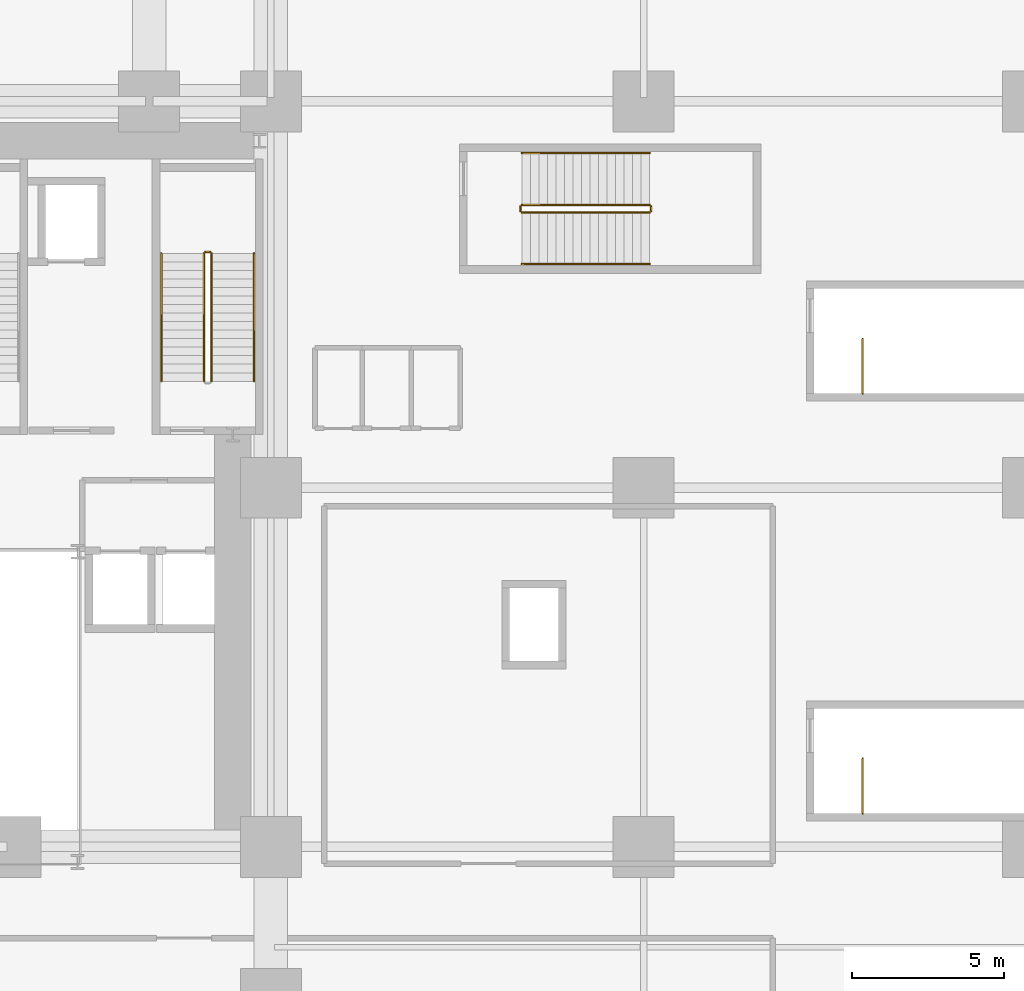
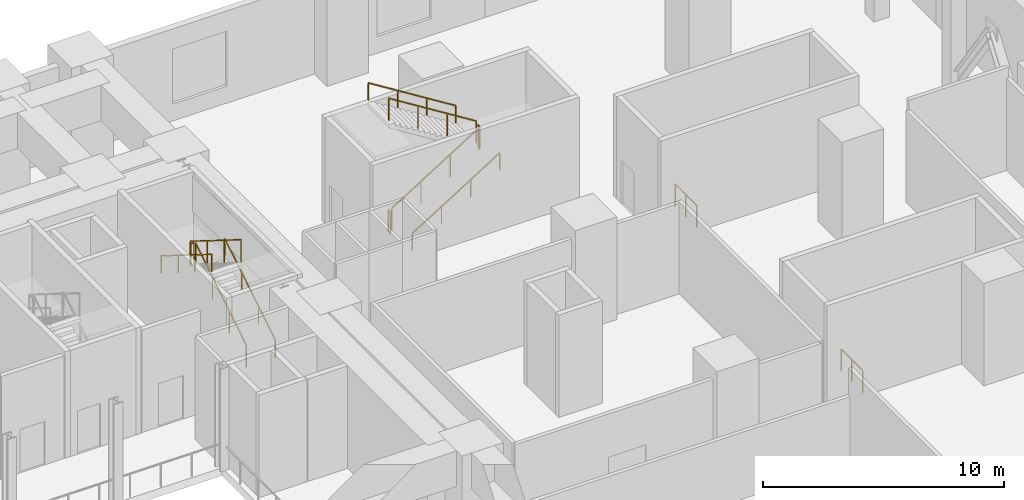
# One storey, part 17 of 17: 13 railings.
"""IFC4 building model written with IfcOpenShell, lengths in metres."""

import ifcopenshell
import ifcopenshell.guid

model = None  # the IFC model being written
_history = None  # IfcOwnerHistory: only IFC2X3 demands one
_inside = {}  # id of a spatial element -> (the spatial element, [elements in it])
_under = {}  # id of a project, library or spatial element -> (it, [spatial elements below it])
_declared = {}  # id of a project -> (the project, [libraries it declares])
_typed = {}  # id of a type object -> (the type object, [elements of that type])
_made_of = {}  # id of a material, layer set ... -> (it, [elements and type objects made of it])


def new_model(schema):
    """Start an empty IFC model of exactly this schema.

    Asked for "IFC4X3", IfcOpenShell would pick the latest addendum, in which some entities
    have other attributes; the version numbers below select the first issue.
    IFC2X3 requires an IfcOwnerHistory on every rooted entity: one is made here for all.
    """
    global model, _history
    if schema == "IFC4X3":
        model = ifcopenshell.file(schema_version=(4, 3, 0, 0))
    else:
        model = ifcopenshell.file(schema=schema)
    _inside.clear()
    _under.clear()
    _declared.clear()
    _typed.clear()
    _made_of.clear()
    _history = None
    if model.schema == "IFC2X3":
        org = make("IfcOrganization", Name="unknown")
        user = make(
            "IfcPersonAndOrganization",
            ThePerson=make("IfcPerson", FamilyName="unknown"),
            TheOrganization=org,
        )
        app = make(
            "IfcApplication",
            ApplicationDeveloper=org,
            Version="unknown",
            ApplicationFullName="unknown",
            ApplicationIdentifier="unknown",
        )
        _history = make(
            "IfcOwnerHistory",
            OwningUser=user,
            OwningApplication=app,
            ChangeAction="ADDED",
            CreationDate=0,
        )
    return model


def make(cls, **values):
    """One entity of the class cls with the attributes given. An attribute that is None is left unset."""
    return model.create_entity(
        cls, **{name: value for name, value in values.items() if value is not None}
    )


def rooted(cls, **values):
    """An entity with a GlobalId (a new one), such as an element, a storey or a relation."""
    return make(cls, GlobalId=ifcopenshell.guid.new(), OwnerHistory=_history, **values)


def si_unit(unit_type, name, prefix=None):
    """IfcSIUnit, for example si_unit("LENGTHUNIT", "METRE", prefix="MILLI")."""
    return make("IfcSIUnit", UnitType=unit_type, Prefix=prefix, Name=name)


def assignment(units):
    """IfcUnitAssignment: the units of a project."""
    return None if units is None else make("IfcUnitAssignment", Units=units)


def point(xyz):
    """IfcCartesianPoint."""
    return None if xyz is None else make("IfcCartesianPoint", Coordinates=xyz)


def direction(xyz):
    """IfcDirection."""
    return None if xyz is None else make("IfcDirection", DirectionRatios=xyz)


def frame(location, z_axis=None, x_axis=None):
    """IfcAxis2Placement3D, a coordinate frame: its origin and axes. An axis left out is left unset."""
    return make(
        "IfcAxis2Placement3D",
        Location=point(location),
        Axis=direction(z_axis),
        RefDirection=direction(x_axis),
    )


def frame_2d(location, x_axis=None):
    """IfcAxis2Placement2D, a coordinate frame in the plane: its origin and x axis."""
    return make(
        "IfcAxis2Placement2D", Location=point(location), RefDirection=direction(x_axis)
    )


def origin():
    """The frame at (0, 0, 0) with its axes left unset."""
    return frame((0.0, 0.0, 0.0))


def origin_2d():
    """The frame at (0, 0) in the plane with its x axis left unset."""
    return frame_2d((0.0, 0.0))


def place(relative_to, where):
    """IfcLocalPlacement: puts the frame where relative to a parent placement (None: the world)."""
    return make(
        "IfcLocalPlacement", PlacementRelTo=relative_to, RelativePlacement=where
    )


def context(
    kind, dimensions, precision=None, world=None, true_north=None, identifier=None
):
    """IfcGeometricRepresentationContext, for example the 3D "Model" context."""
    return make(
        "IfcGeometricRepresentationContext",
        ContextIdentifier=identifier,
        ContextType=kind,
        CoordinateSpaceDimension=dimensions,
        Precision=precision,
        WorldCoordinateSystem=world,
        TrueNorth=true_north,
    )


def subcontext(parent, identifier, kind, view, scale=None):
    """IfcGeometricRepresentationSubContext, for example "Body" below "Model"."""
    return make(
        "IfcGeometricRepresentationSubContext",
        ContextIdentifier=identifier,
        ContextType=kind,
        ParentContext=parent,
        TargetScale=scale,
        TargetView=view,
    )


def project(units=None, contexts=None):
    """IfcProject with its units and contexts."""
    return rooted(
        "IfcProject",
        Name="project",
        RepresentationContexts=contexts,
        UnitsInContext=assignment(units),
    )


def spatial(cls, under=None, at=None, **own):
    """A site, building, storey or space (cls), placed at a placement, below another one or the project."""
    s = rooted(cls, ObjectPlacement=at, **own)
    if under is not None:
        _under.setdefault(under.id(), (under, []))[1].append(s)
    return s


def profile(cls, at=None, kind="AREA", **sizes):
    """A parametric profile (cls). Its sizes go by their IFC names, for example OverallWidth=200.0."""
    return make(cls, ProfileType=kind, Position=at, **sizes)


def rectangle(**sizes):
    """IfcRectangleProfileDef."""
    return profile("IfcRectangleProfileDef", **sizes)


def extrude(swept, where, along, depth):
    """IfcExtrudedAreaSolid: the profile swept, set in the frame where, extruded along a direction by depth."""
    return make(
        "IfcExtrudedAreaSolid",
        SweptArea=swept,
        Position=where,
        ExtrudedDirection=direction(along),
        Depth=depth,
    )


def shape(context_of_items, identifier, shape_type, items):
    """IfcShapeRepresentation: the items that make up one representation, for example the "Body"."""
    return make(
        "IfcShapeRepresentation",
        ContextOfItems=context_of_items,
        RepresentationIdentifier=identifier,
        RepresentationType=shape_type,
        Items=items,
    )


def source(mapping_origin, context_of_items, identifier, shape_type, items):
    """IfcRepresentationMap: a shape defined once, which mapped items show again and again."""
    return make(
        "IfcRepresentationMap",
        MappingOrigin=mapping_origin,
        MappedRepresentation=shape(context_of_items, identifier, shape_type, items),
    )


def transform(
    local_origin,
    x_axis=None,
    y_axis=None,
    z_axis=None,
    scale=None,
    scale2=None,
    scale3=None,
    uniform=True,
):
    """IfcCartesianTransformationOperator3D, or its non-uniform kind. x_axis, y_axis, z_axis: its Axis1, 2, 3."""
    if uniform:
        return make(
            "IfcCartesianTransformationOperator3D",
            Axis1=direction(x_axis),
            Axis2=direction(y_axis),
            LocalOrigin=point(local_origin),
            Scale=scale,
            Axis3=direction(z_axis),
        )
    return make(
        "IfcCartesianTransformationOperator3DnonUniform",
        Axis1=direction(x_axis),
        Axis2=direction(y_axis),
        LocalOrigin=point(local_origin),
        Scale=scale,
        Axis3=direction(z_axis),
        Scale2=scale2,
        Scale3=scale3,
    )


def mapped(mapping_source, mapping_target):
    """IfcMappedItem: shows the shape of a source again, moved by a transform."""
    return make(
        "IfcMappedItem", MappingSource=mapping_source, MappingTarget=mapping_target
    )


def material(Name=None, Category=None):
    """IfcMaterial."""
    return make("IfcMaterial", Name=Name, Category=Category)


def made_of(thing, what):
    """Note that an element or type object is made of a material, layer set ...; save() writes the relation."""
    if what is not None:
        _made_of.setdefault(what.id(), (what, []))[1].append(thing)
    return thing


def type_object(cls, material=None, **own):
    """A type object (cls), such as IfcWallType, which elements share."""
    return made_of(rooted(cls, **own), material)


def element(
    cls,
    number,
    at=None,
    inside=None,
    cuts=None,
    type_object=None,
    material=None,
    context=None,
    identifier="Body",
    shape_type=None,
    held_by="IfcProductDefinitionShape",
    body=None,
    shapes=None,
    **own,
):
    """One element of the class cls, such as IfcWall. Its Tag is "e" and its number.

    at: its placement. inside: the storey or other place that contains it. cuts: it is an
    opening in that element (IfcRelVoidsElement). A single representation is given by context,
    identifier, shape_type and body (its items); several are given by shapes. held_by: the class
    of the entity that holds the representations. save() writes the other relations.
    """
    e = rooted(cls, Tag="e%d" % number, ObjectPlacement=at, **own)
    if body is not None:
        shapes = [shape(context, identifier, shape_type, body)]
    if shapes is not None:
        e.Representation = make(held_by, Representations=shapes)
    if inside is not None:
        _inside.setdefault(inside.id(), (inside, []))[1].append(e)
    if cuts is not None:
        rooted(
            "IfcRelVoidsElement", RelatingBuildingElement=cuts, RelatedOpeningElement=e
        )
    if type_object is not None:
        _typed.setdefault(type_object.id(), (type_object, []))[1].append(e)
    return made_of(e, material)


def aggregate(whole, parts):
    """IfcRelAggregates: a whole, such as a stair, and the parts it consists of."""
    return rooted("IfcRelAggregates", RelatingObject=whole, RelatedObjects=parts)


def save(model, path):
    """Write the relations noted so far, then the file.

    IfcRelAggregates (storeys below a building ...), IfcRelContainedInSpatialStructure (elements
    in a storey), IfcRelDefinesByType, IfcRelAssociatesMaterial and IfcRelDeclares: one each for
    every whole, place, type object, material and project.
    """
    for whole, parts in _under.values():
        aggregate(whole, parts)
    for where, things in _inside.values():
        rooted(
            "IfcRelContainedInSpatialStructure",
            RelatedElements=things,
            RelatingStructure=where,
        )
    for kind, things in _typed.values():
        rooted("IfcRelDefinesByType", RelatedObjects=things, RelatingType=kind)
    for what, things in _made_of.values():
        rooted("IfcRelAssociatesMaterial", RelatedObjects=things, RelatingMaterial=what)
    for by, libraries in _declared.values():
        rooted("IfcRelDeclares", RelatingContext=by, RelatedDefinitions=libraries)
    model.write(path)


model = new_model("IFC4")

# Units and contexts
model_context = context("Model", 3, precision=1e-05, world=origin(), true_north=direction((0.0, 1.0)))
body_context = subcontext(model_context, "Body", "Model", "MODEL_VIEW")
ifc_project = project(units=[si_unit("LENGTHUNIT", "METRE"), si_unit("AREAUNIT", "SQUARE_METRE"), si_unit("VOLUMEUNIT", "CUBIC_METRE"), si_unit("PLANEANGLEUNIT", "RADIAN"), si_unit("MASSUNIT", "GRAM", prefix="KILO")], contexts=[model_context])

# Site, building, storey
site_placement = place(None, origin())
site = spatial("IfcSite", under=ifc_project, at=site_placement, CompositionType="ELEMENT")
building_placement = place(site_placement, origin())
building = spatial("IfcBuilding", under=site, at=building_placement, Name="Vardaveli Station Tower", CompositionType="ELEMENT")
storey_placement = place(building_placement, frame((0.0, 0.0, 11.39990234375)))
storey = spatial("IfcBuildingStorey", under=building, at=storey_placement, Name="L03", CompositionType="ELEMENT", Elevation=11.39990234375)

# Railings
ifc_material = material(Name="Brushed AISI 316 stainless steel", Category="steel")
railing_type_1 = type_object("IfcRailingType", Name="RL-GUARD-1150", PredefinedType="GUARDRAIL", material=ifc_material)
shared_shape_1 = source(origin(), body_context, "Body", "SweptSolid", [
    extrude(rectangle(XDim=0.048095703125, YDim=0.048095703125, at=origin_2d()), frame((0.0, 0.0, 1.1259765625), z_axis=(-1.0, 0.0, 0.0), x_axis=(0.0, -1.0, 0.0)), (0.0, 0.0, 1.0), 0.14990234375),
    extrude(rectangle(XDim=0.0419921875, YDim=0.0419921875, at=origin_2d()), origin(), (0.0, 0.0, 1.0), 1.101806640625),
    extrude(rectangle(XDim=0.0419921875, YDim=0.0419921875, at=origin_2d()), frame((-0.14990234375, 0.0, 0.0)), (0.0, 0.0, 1.0), 1.101806640625),
])
railing_1_placement = place(storey_placement, frame((45.75, 36.64990234375, 2.800048828125)))
element("IfcRailing", 1, at=railing_1_placement, inside=storey, type_object=railing_type_1, Name="L03 ST-3 stair guard 2", PredefinedType="GUARDRAIL", context=body_context, shape_type="MappedRepresentation", body=[
    mapped(shared_shape_1, transform((0.0, 0.0, 0.0), scale=1.0)),
])
shared_shape_2 = source(origin(), body_context, "Body", "SweptSolid", [
    extrude(rectangle(XDim=0.048095703125, YDim=0.048095703125, at=origin_2d()), frame((0.0, 0.0, 1.1259765625), z_axis=(0.0, 0.848009380541, 0.529981217134), x_axis=(-1.0, 0.0, 0.0)), (0.0, 0.0, 1.0), 4.953125),
    extrude(rectangle(XDim=0.0419921875, YDim=0.0419921875, at=origin_2d()), origin(), (0.0, 0.0, 1.0), 1.101806640625),
    extrude(rectangle(XDim=0.0419921875, YDim=0.0419921875, at=origin_2d()), frame((0.0, 1.400146484375, 0.875)), (0.0, 0.0, 1.0), 1.101806640625),
    extrude(rectangle(XDim=0.0419921875, YDim=0.0419921875, at=origin_2d()), frame((0.0, 2.800048828125, 1.75)), (0.0, 0.0, 1.0), 1.101806640625),
    extrude(rectangle(XDim=0.0419921875, YDim=0.0419921875, at=origin_2d()), frame((0.0, 4.2001953125, 2.625)), (0.0, 0.0, 1.0), 1.101806640625),
])
railing_2_placement = place(storey_placement, frame((45.800048828125, 32.39990234375, 0.175048828125)))
element("IfcRailing", 2, at=railing_2_placement, inside=storey, type_object=railing_type_1, Name="L03 ST-3 stair guard 1", PredefinedType="GUARDRAIL", context=body_context, shape_type="MappedRepresentation", body=[
    mapped(shared_shape_2, transform((0.0, 0.0, 0.0), scale=1.0)),
])
shared_shape_3 = source(origin(), body_context, "Body", "SweptSolid", [
    extrude(rectangle(XDim=0.048095703125, YDim=0.048095703125, at=origin_2d()), frame((0.0, 0.0, 1.1259765625), z_axis=(0.0, -0.848009380541, 0.529981217134), x_axis=(1.0, 0.0, 0.0)), (0.0, 0.0, 1.0), 4.953125),
    extrude(rectangle(XDim=0.0419921875, YDim=0.0419921875, at=origin_2d()), origin(), (0.0, 0.0, 1.0), 1.101806640625),
    extrude(rectangle(XDim=0.0419921875, YDim=0.0419921875, at=origin_2d()), frame((0.0, -1.400146484375, 0.875)), (0.0, 0.0, 1.0), 1.101806640625),
    extrude(rectangle(XDim=0.0419921875, YDim=0.0419921875, at=origin_2d()), frame((0.0, -2.800048828125, 1.75)), (0.0, 0.0, 1.0), 1.101806640625),
    extrude(rectangle(XDim=0.0419921875, YDim=0.0419921875, at=origin_2d()), frame((0.0, -4.2001953125, 2.625)), (0.0, 0.0, 1.0), 1.101806640625),
])
railing_3_placement = place(storey_placement, frame((45.550048828125, 36.60009765625, 2.97509765625)))
element("IfcRailing", 3, at=railing_3_placement, inside=storey, type_object=railing_type_1, Name="L03 ST-3 stair guard 3", PredefinedType="GUARDRAIL", context=body_context, shape_type="MappedRepresentation", body=[
    mapped(shared_shape_3, transform((0.0, 0.0, 0.0), scale=1.0)),
])
railing_type_2 = type_object("IfcRailingType", Name="RL-HAND-900", PredefinedType="HANDRAIL", material=ifc_material)
shared_shape_4 = source(origin(), body_context, "Body", "SweptSolid", [
    extrude(rectangle(XDim=0.048095703125, YDim=0.048095703125, at=origin_2d()), frame((0.0, 0.0, 0.8759765625), z_axis=(0.0, 0.848009380541, 0.529981217134), x_axis=(-1.0, 0.0, 0.0)), (0.0, 0.0, 1.0), 4.953125),
    extrude(rectangle(XDim=0.0419921875, YDim=0.0419921875, at=origin_2d()), origin(), (0.0, 0.0, 1.0), 0.851806640625),
    extrude(rectangle(XDim=0.0419921875, YDim=0.0419921875, at=origin_2d()), frame((0.0, 1.400146484375, 0.875)), (0.0, 0.0, 1.0), 0.851806640625),
    extrude(rectangle(XDim=0.0419921875, YDim=0.0419921875, at=origin_2d()), frame((0.0, 2.800048828125, 1.75)), (0.0, 0.0, 1.0), 0.851806640625),
    extrude(rectangle(XDim=0.0419921875, YDim=0.0419921875, at=origin_2d()), frame((0.0, 4.2001953125, 2.625)), (0.0, 0.0, 1.0), 0.851806640625),
])
railing_4_placement = place(storey_placement, frame((47.199951171875, 32.39990234375, 0.175048828125)))
element("IfcRailing", 4, at=railing_4_placement, inside=storey, type_object=railing_type_2, Name="L03 ST-3 stair handrail 1", PredefinedType="HANDRAIL", context=body_context, shape_type="MappedRepresentation", body=[
    mapped(shared_shape_4, transform((0.0, 0.0, 0.0), scale=1.0)),
])
shared_shape_5 = source(origin(), body_context, "Body", "SweptSolid", [
    extrude(rectangle(XDim=0.048095703125, YDim=0.048095703125, at=origin_2d()), frame((0.0, 0.0, 0.8759765625), z_axis=(0.0, -0.848009380541, 0.529981217134), x_axis=(1.0, 0.0, 0.0)), (0.0, 0.0, 1.0), 4.953125),
    extrude(rectangle(XDim=0.0419921875, YDim=0.0419921875, at=origin_2d()), origin(), (0.0, 0.0, 1.0), 0.851806640625),
    extrude(rectangle(XDim=0.0419921875, YDim=0.0419921875, at=origin_2d()), frame((0.0, -1.400146484375, 0.875)), (0.0, 0.0, 1.0), 0.851806640625),
    extrude(rectangle(XDim=0.0419921875, YDim=0.0419921875, at=origin_2d()), frame((0.0, -2.800048828125, 1.75)), (0.0, 0.0, 1.0), 0.851806640625),
    extrude(rectangle(XDim=0.0419921875, YDim=0.0419921875, at=origin_2d()), frame((0.0, -4.2001953125, 2.625)), (0.0, 0.0, 1.0), 0.851806640625),
])
railing_5_placement = place(storey_placement, frame((44.14990234375, 36.60009765625, 2.97509765625)))
element("IfcRailing", 5, at=railing_5_placement, inside=storey, type_object=railing_type_2, Name="L03 ST-3 stair handrail 2", PredefinedType="HANDRAIL", context=body_context, shape_type="MappedRepresentation", body=[
    mapped(shared_shape_5, transform((0.0, 0.0, 0.0), scale=1.0)),
])
shared_shape_6 = source(origin(), body_context, "Body", "SweptSolid", [
    extrude(rectangle(XDim=0.048095703125, YDim=0.048095703125, at=origin_2d()), frame((0.0, 0.0, 1.1259765625), z_axis=(0.0, 1.0, 0.0), x_axis=(-1.0, 0.0, 0.0)), (0.0, 0.0, 1.0), 0.14990234375),
    extrude(rectangle(XDim=0.0419921875, YDim=0.0419921875, at=origin_2d()), origin(), (0.0, 0.0, 1.0), 1.101806640625),
    extrude(rectangle(XDim=0.0419921875, YDim=0.0419921875, at=origin_2d()), frame((0.0, 0.14990234375, 0.0)), (0.0, 0.0, 1.0), 1.101806640625),
])
for number, where, name in (
    (6, (60.25, 38.0, 2.800048828125), "L03 ST-P2 stair guard 2"),
    (7, (55.949951171875, 38.0, 0.0), "L03 ST-P2 stair guard 4"),
):
    element("IfcRailing", number, at=place(storey_placement, frame(where)), inside=storey, type_object=railing_type_1, Name=name, PredefinedType="GUARDRAIL", context=body_context, shape_type="MappedRepresentation", body=[
        mapped(shared_shape_6, transform((0.0, 0.0, 0.0), scale=1.0)),
    ])
shared_shape_7 = source(origin(), body_context, "Body", "SweptSolid", [
    extrude(rectangle(XDim=0.048095703125, YDim=0.048095703125, at=origin_2d()), frame((0.0, 0.0, 1.1259765625), z_axis=(0.847995534698, 0.0, 0.530003370869), x_axis=(0.0, 1.0, 0.0)), (0.0, 0.0, 1.0), 4.952880859375),
    extrude(rectangle(XDim=0.0419921875, YDim=0.0419921875, at=origin_2d()), origin(), (0.0, 0.0, 1.0), 1.101806640625),
    extrude(rectangle(XDim=0.0419921875, YDim=0.0419921875, at=origin_2d()), frame((1.39990234375, 0.0, 0.875)), (0.0, 0.0, 1.0), 1.101806640625),
    extrude(rectangle(XDim=0.0419921875, YDim=0.0419921875, at=origin_2d()), frame((2.800048828125, 0.0, 1.75)), (0.0, 0.0, 1.0), 1.101806640625),
    extrude(rectangle(XDim=0.0419921875, YDim=0.0419921875, at=origin_2d()), frame((4.199951171875, 0.0, 2.625)), (0.0, 0.0, 1.0), 1.101806640625),
])
railing_6_placement = place(storey_placement, frame((56.0, 37.949951171875, 0.175048828125)))
element("IfcRailing", 8, at=railing_6_placement, inside=storey, type_object=railing_type_1, Name="L03 ST-P2 stair guard 1", PredefinedType="GUARDRAIL", context=body_context, shape_type="MappedRepresentation", body=[
    mapped(shared_shape_7, transform((0.0, 0.0, 0.0), scale=1.0)),
])
shared_shape_8 = source(origin(), body_context, "Body", "SweptSolid", [
    extrude(rectangle(XDim=0.048095703125, YDim=0.048095703125, at=origin_2d()), frame((0.0, 0.0, 1.1259765625), z_axis=(-0.847995534698, 0.0, 0.530003370869), x_axis=(0.0, -1.0, 0.0)), (0.0, 0.0, 1.0), 4.952880859375),
    extrude(rectangle(XDim=0.0419921875, YDim=0.0419921875, at=origin_2d()), origin(), (0.0, 0.0, 1.0), 1.101806640625),
    extrude(rectangle(XDim=0.0419921875, YDim=0.0419921875, at=origin_2d()), frame((-1.39990234375, 0.0, 0.875)), (0.0, 0.0, 1.0), 1.101806640625),
    extrude(rectangle(XDim=0.0419921875, YDim=0.0419921875, at=origin_2d()), frame((-2.800048828125, 0.0, 1.75)), (0.0, 0.0, 1.0), 1.101806640625),
    extrude(rectangle(XDim=0.0419921875, YDim=0.0419921875, at=origin_2d()), frame((-4.199951171875, 0.0, 2.625)), (0.0, 0.0, 1.0), 1.101806640625),
])
railing_7_placement = place(storey_placement, frame((60.199951171875, 38.199951171875, 2.97509765625)))
element("IfcRailing", 9, at=railing_7_placement, inside=storey, type_object=railing_type_1, Name="L03 ST-P2 stair guard 3", PredefinedType="GUARDRAIL", context=body_context, shape_type="MappedRepresentation", body=[
    mapped(shared_shape_8, transform((0.0, 0.0, 0.0), scale=1.0)),
])
shared_shape_9 = source(origin(), body_context, "Body", "SweptSolid", [
    extrude(rectangle(XDim=0.048095703125, YDim=0.048095703125, at=origin_2d()), frame((0.0, 0.0, 0.8759765625), z_axis=(0.847995534698, 0.0, 0.530003370869), x_axis=(0.0, 1.0, 0.0)), (0.0, 0.0, 1.0), 4.952880859375),
    extrude(rectangle(XDim=0.0419921875, YDim=0.0419921875, at=origin_2d()), origin(), (0.0, 0.0, 1.0), 0.851806640625),
    extrude(rectangle(XDim=0.0419921875, YDim=0.0419921875, at=origin_2d()), frame((1.39990234375, 0.0, 0.875)), (0.0, 0.0, 1.0), 0.851806640625),
    extrude(rectangle(XDim=0.0419921875, YDim=0.0419921875, at=origin_2d()), frame((2.800048828125, 0.0, 1.75)), (0.0, 0.0, 1.0), 0.851806640625),
    extrude(rectangle(XDim=0.0419921875, YDim=0.0419921875, at=origin_2d()), frame((4.199951171875, 0.0, 2.625)), (0.0, 0.0, 1.0), 0.851806640625),
])
railing_8_placement = place(storey_placement, frame((56.0, 36.25, 0.175048828125)))
element("IfcRailing", 10, at=railing_8_placement, inside=storey, type_object=railing_type_2, Name="L03 ST-P2 stair handrail 1", PredefinedType="HANDRAIL", context=body_context, shape_type="MappedRepresentation", body=[
    mapped(shared_shape_9, transform((0.0, 0.0, 0.0), scale=1.0)),
])
shared_shape_10 = source(origin(), body_context, "Body", "SweptSolid", [
    extrude(rectangle(XDim=0.048095703125, YDim=0.048095703125, at=origin_2d()), frame((0.0, 0.0, 0.8759765625), z_axis=(-0.847995534698, 0.0, 0.530003370869), x_axis=(0.0, -1.0, 0.0)), (0.0, 0.0, 1.0), 4.952880859375),
    extrude(rectangle(XDim=0.0419921875, YDim=0.0419921875, at=origin_2d()), origin(), (0.0, 0.0, 1.0), 0.851806640625),
    extrude(rectangle(XDim=0.0419921875, YDim=0.0419921875, at=origin_2d()), frame((-1.39990234375, 0.0, 0.875)), (0.0, 0.0, 1.0), 0.851806640625),
    extrude(rectangle(XDim=0.0419921875, YDim=0.0419921875, at=origin_2d()), frame((-2.800048828125, 0.0, 1.75)), (0.0, 0.0, 1.0), 0.851806640625),
    extrude(rectangle(XDim=0.0419921875, YDim=0.0419921875, at=origin_2d()), frame((-4.199951171875, 0.0, 2.625)), (0.0, 0.0, 1.0), 0.851806640625),
])
railing_9_placement = place(storey_placement, frame((60.199951171875, 39.89990234375, 2.97509765625)))
element("IfcRailing", 11, at=railing_9_placement, inside=storey, type_object=railing_type_2, Name="L03 ST-P2 stair handrail 2", PredefinedType="HANDRAIL", context=body_context, shape_type="MappedRepresentation", body=[
    mapped(shared_shape_10, transform((0.0, 0.0, 0.0), scale=1.0)),
])
shared_shape_11 = source(origin(), body_context, "Body", "SweptSolid", [
    extrude(rectangle(XDim=0.048095703125, YDim=0.048095703125, at=origin_2d()), frame((0.0, 0.0, 1.1259765625), z_axis=(0.0, 1.0, 0.0), x_axis=(-1.0, 0.0, 0.0)), (0.0, 0.0, 1.0), 1.800048828125),
    extrude(rectangle(XDim=0.0419921875, YDim=0.0419921875, at=origin_2d()), origin(), (0.0, 0.0, 1.0), 1.101806640625),
    extrude(rectangle(XDim=0.0419921875, YDim=0.0419921875, at=origin_2d()), frame((0.0, 0.89990234375, 0.0)), (0.0, 0.0, 1.0), 1.101806640625),
    extrude(rectangle(XDim=0.0419921875, YDim=0.0419921875, at=origin_2d()), frame((0.0, 1.800048828125, 0.0)), (0.0, 0.0, 1.0), 1.101806640625),
])
for number, where, name in (
    (12, (67.199951171875, 18.199951171875, 0.0), "L03 ST-C1 top well guard 1"),
    (13, (67.199951171875, 32.0, 0.0), "L03 ST-C2 top well guard 1"),
):
    element("IfcRailing", number, at=place(storey_placement, frame(where)), inside=storey, type_object=railing_type_1, Name=name, PredefinedType="GUARDRAIL", context=body_context, shape_type="MappedRepresentation", body=[
        mapped(shared_shape_11, transform((0.0, 0.0, 0.0), scale=1.0)),
    ])

save(model, "model.ifc")
